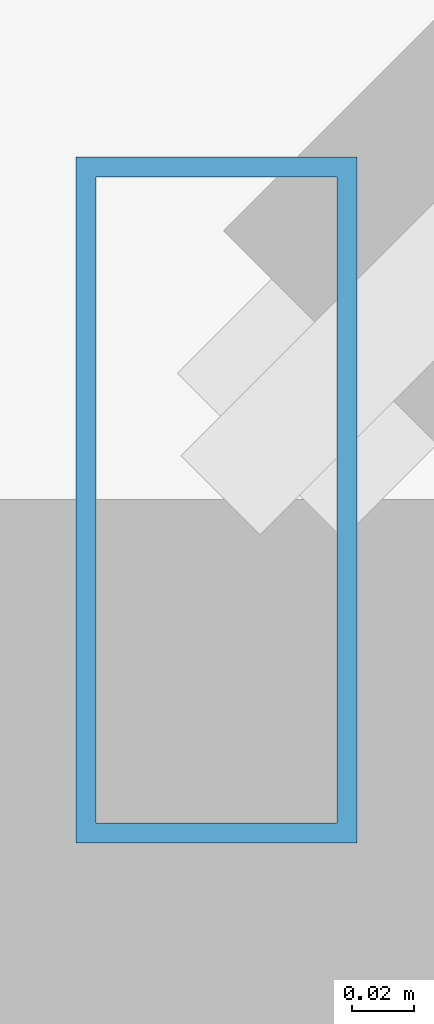
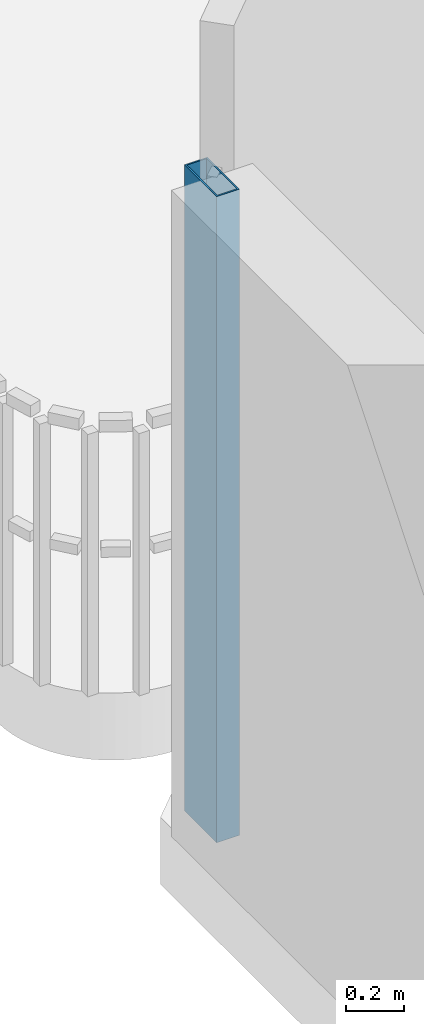
# One storey, part 11 of 33: 1 member, 1 element without a shape of its own.
"""IFC4 building model written with IfcOpenShell, lengths in metres."""

from ifc_helpers import new_model, si_unit, direction, frame, origin, origin_2d, place, context, subcontext, project, spatial, hollow_rectangle, extrude, material, material_profile, profile_set, type_object, element, aggregate, save


model = new_model("IFC4")

# Units and contexts
model_context = context("Model", 3, precision=1e-05, world=origin(), true_north=direction((0.0, 1.0)))
body_context = subcontext(model_context, "Body", "Model", "MODEL_VIEW")
ifc_project = project(units=[si_unit("LENGTHUNIT", "METRE"), si_unit("AREAUNIT", "SQUARE_METRE"), si_unit("VOLUMEUNIT", "CUBIC_METRE"), si_unit("PLANEANGLEUNIT", "RADIAN"), si_unit("MASSUNIT", "GRAM", prefix="KILO")], contexts=[model_context])

# Site, building, storey
site_placement = place(None, origin())
site = spatial("IfcSite", under=ifc_project, at=site_placement, CompositionType="ELEMENT")
building_placement = place(site_placement, origin())
building = spatial("IfcBuilding", under=site, at=building_placement, Name="Thornwick Lancets Civic Towers", CompositionType="ELEMENT")
storey_placement = place(building_placement, frame((0.0, 0.0, 98.10009765625)))
storey = spatial("IfcBuildingStorey", under=building, at=storey_placement, Name="L25", CompositionType="ELEMENT", Elevation=98.10009765625)

# Curtain wall, member
ifc_material_1 = material(Name="Low-zone chamfered-corner unitised glass curtain wall", Category="glass")
curtain_wall_type = type_object("IfcCurtainWallType", Name="CW_SYS_03", PredefinedType="NOTDEFINED", material=ifc_material_1)
curtain_wall_placement = place(storey_placement, origin())
curtain_wall = element("IfcCurtainWall", 1, at=curtain_wall_placement, inside=storey, type_object=curtain_wall_type, Name="L25 Curtain Wall CW-L25-B-E5", PredefinedType="NOTDEFINED")
ifc_material_2 = material(Name="Thermally broken bronze aluminium S355", Category="steel")
ifc_material_profile = material_profile(ifc_material_2, hollow_rectangle(XDim=0.090087890625, YDim=0.219970703125, WallThickness=0.00634765625, at=origin_2d()), Name="RHS 220x90x6.3")
ifc_profile_set = profile_set([ifc_material_profile], Name="Thermally broken bronze aluminium S355")
member_type = type_object("IfcMemberType", Name="CW_MUL_220", PredefinedType="MULLION", material=ifc_profile_set)
member_placement = place(storey_placement, frame((64.535400390625, 42.38134765625, 0.0), z_axis=(0.0, 0.0, 1.0), x_axis=(1.0, 0.0, 0.0)))
member = element("IfcMember", 2, at=member_placement, type_object=member_type, Name="CW-L25-B-E5 Mullion 1", PredefinedType="MULLION", context=body_context, shape_type="SweptSolid", body=[
    extrude(hollow_rectangle(XDim=0.090087890625, YDim=0.219970703125, WallThickness=0.00634765625, at=origin_2d()), origin(), (0.0, 0.0, 1.0), 2.699951171875),
])
aggregate(curtain_wall, [member])

save(model, "model.ifc")
